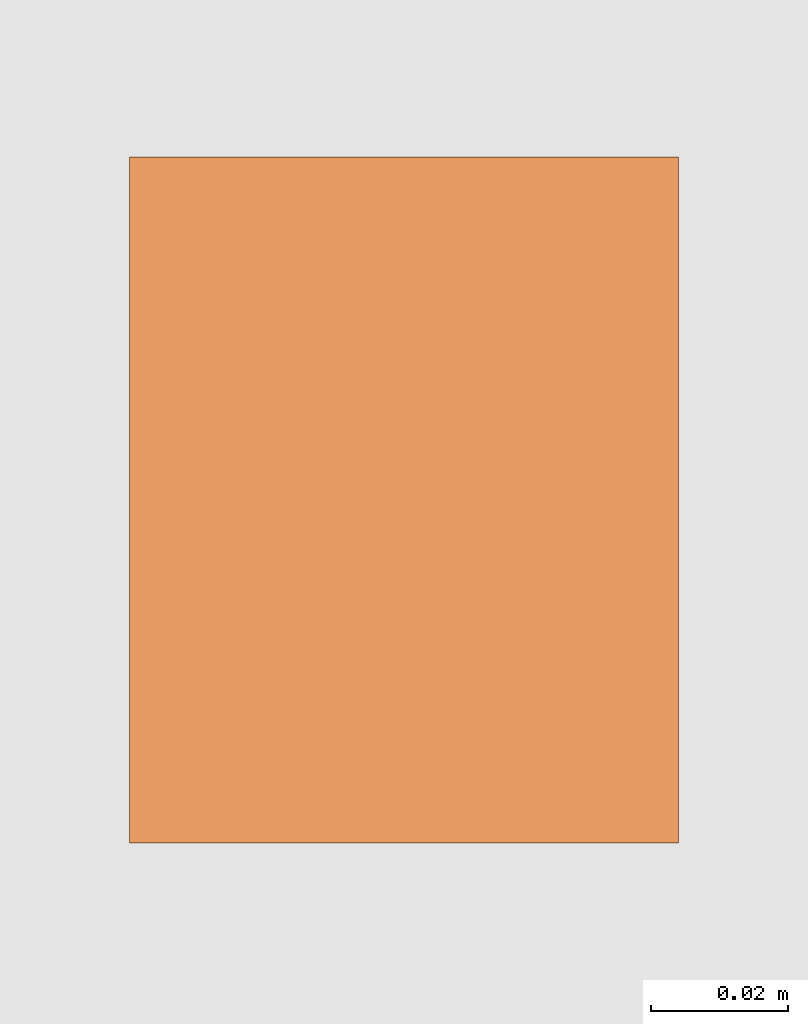
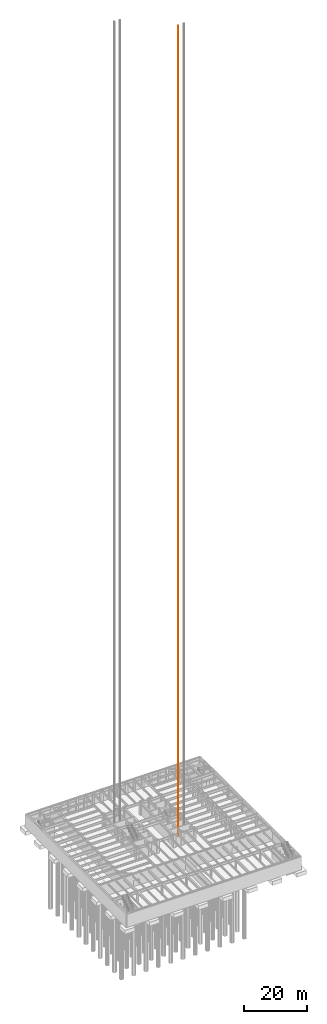
# One storey, part 17 of 18: 1 proxy.
"""IFC4 building model written with IfcOpenShell, lengths in metres."""

from ifc_helpers import new_model, si_unit, direction, frame, origin, origin_2d, place, context, subcontext, project, spatial, rectangle, extrude, material, type_object, element, save


model = new_model("IFC4")

# Units and contexts
model_context = context("Model", 3, precision=1e-05, world=origin(), true_north=direction((0.0, 1.0)))
body_context = subcontext(model_context, "Body", "Model", "MODEL_VIEW")
ifc_project = project(units=[si_unit("LENGTHUNIT", "METRE"), si_unit("AREAUNIT", "SQUARE_METRE"), si_unit("VOLUMEUNIT", "CUBIC_METRE"), si_unit("PLANEANGLEUNIT", "RADIAN"), si_unit("MASSUNIT", "GRAM", prefix="KILO")], contexts=[model_context])

# Site, building, storey
site_placement = place(None, origin())
site = spatial("IfcSite", under=ifc_project, at=site_placement, CompositionType="ELEMENT")
building_placement = place(site_placement, origin())
building = spatial("IfcBuilding", under=site, at=building_placement, Name="Chuquiago Exchange Tower", CompositionType="ELEMENT")
storey_placement = place(building_placement, frame((0.0, 0.0, -5.0)))
storey = spatial("IfcBuildingStorey", under=building, at=storey_placement, Name="B1", CompositionType="ELEMENT", Elevation=-5.0)

# Proxy
ifc_material = material(Name="Galvanised steel guide rail", Category="steel")
building_element_proxy_type = type_object("IfcBuildingElementProxyType", Name="LR lift guide rail", PredefinedType="NOTDEFINED", material=ifc_material)
proxy_placement = place(storey_placement, frame((29.68994140625, 16.5, 0.0), z_axis=(0.0, 0.0, 1.0), x_axis=(1.0, 0.0, 0.0)))
element("IfcBuildingElementProxy", 1, at=proxy_placement, inside=storey, type_object=building_element_proxy_type, Name="Lift FL2 guide rail W", PredefinedType="NOTDEFINED", context=body_context, shape_type="SweptSolid", body=[
    extrude(rectangle(XDim=0.080078125, YDim=0.10009765625, at=origin_2d()), origin(), (0.0, 0.0, 1.0), 313.89990234375),
])

save(model, "model.ifc")
